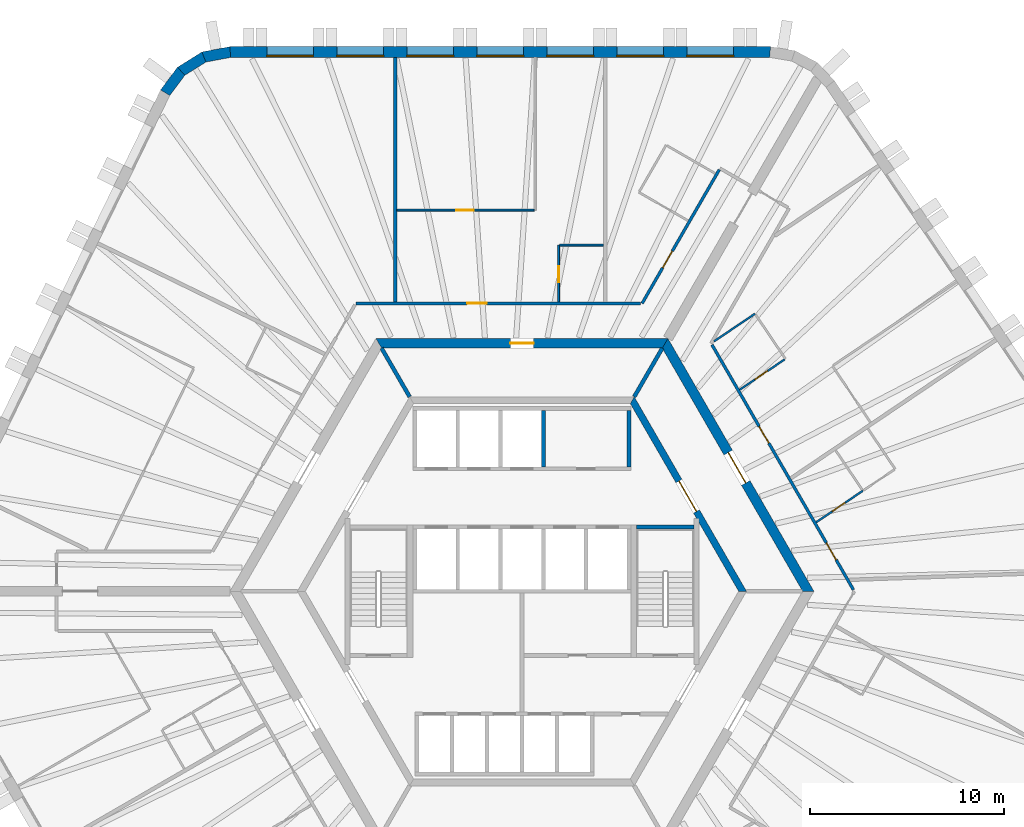
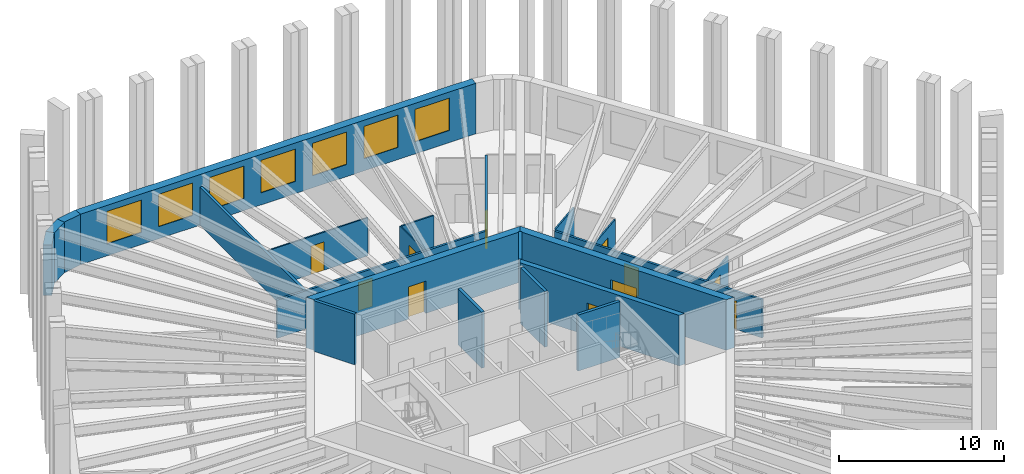
# One storey, part 8 of 10: 22 walls, 11 doors, 7 windows, 18 openings.
"""IFC4 building model written with IfcOpenShell, lengths in metres."""

from ifc_helpers import new_model, si_unit, direction, frame, frame_2d, origin, place, context, subcontext, project, spatial, polyline, rectangle, outline, extrude, material, layer, layer_set, type_object, element, fill, save


model = new_model("IFC4")

# Units and contexts
model_context = context("Model", 3, precision=1e-05, world=origin(), true_north=direction((0.0, 1.0)))
body_context = subcontext(model_context, "Body", "Model", "MODEL_VIEW")
ifc_project = project(units=[si_unit("LENGTHUNIT", "METRE"), si_unit("AREAUNIT", "SQUARE_METRE"), si_unit("VOLUMEUNIT", "CUBIC_METRE"), si_unit("PLANEANGLEUNIT", "RADIAN"), si_unit("MASSUNIT", "GRAM", prefix="KILO")], contexts=[model_context])

# Site, building, storey
site_placement = place(None, origin())
site = spatial("IfcSite", under=ifc_project, at=site_placement, CompositionType="ELEMENT")
building_placement = place(site_placement, origin())
building = spatial("IfcBuilding", under=site, at=building_placement, Name="Tarnside Tower", CompositionType="ELEMENT")
storey_placement = place(building_placement, frame((0.0, 0.0, 152.699951171875)))
storey = spatial("IfcBuildingStorey", under=building, at=storey_placement, Name="L35", CompositionType="ELEMENT", Elevation=152.699951171875)

# Wall, opening, door
ifc_material_1 = material(Name="Gypsum board partition on steel studs", Category="steel")
ifc_layer_1 = layer(ifc_material_1, 0.10009765625)
ifc_layer_set_1 = layer_set([ifc_layer_1], Name="Bathroom wall 100")
wall_type_1 = type_object("IfcWallType", Name="Bathroom wall 100", PredefinedType="PARTITIONING", material=ifc_layer_set_1)
wall_1_placement = place(storey_placement, frame((1.882080078125, 14.875, 0.0), z_axis=(0.0, 0.0, 1.0), x_axis=(0.0, 1.0, 0.0)))
wall_1 = element("IfcWall", 1, at=wall_1_placement, inside=storey, type_object=wall_type_1, Name="Bathroom wall 11053", PredefinedType="PARTITIONING", context=body_context, shape_type="SweptSolid", body=[
    extrude(rectangle(XDim=2.925048828125, YDim=0.10009765625, at=frame_2d((1.46240234375, 0.0))), origin(), (0.0, 0.0, 1.0), 2.823486328125),
])
opening_1_placement = place(wall_1_placement, frame((1.02490234375, 0.0, 0.0)))
opening_1 = element("IfcOpeningElement", 2, at=opening_1_placement, cuts=wall_1, Name="Opening D-B1", PredefinedType="OPENING", context=body_context, shape_type="SweptSolid", body=[
    extrude(rectangle(XDim=0.800048828125, YDim=2.10009765625, at=frame_2d((0.39990234375, 1.050048828125))), frame((0.0, 0.06005859375, 0.0), z_axis=(0.0, -1.0, 0.0), x_axis=(1.0, 0.0, 0.0)), (0.0, 0.0, 1.0), 0.1201171875),
])
ifc_material_2 = material(Name="Timber door leaf", Category="wood")
door_type_1 = type_object("IfcDoorType", Name="Bathroom door 800", OperationType="NOTDEFINED", PredefinedType="DOOR", material=ifc_material_2)
door_1_placement = place(opening_1_placement, origin())
door_1 = element("IfcDoor", 3, at=door_1_placement, inside=storey, type_object=door_type_1, Name="Bathroom door 11004", OperationType="SINGLE_SWING_RIGHT", OverallHeight=2.10009765625, OverallWidth=0.800048828125, PredefinedType="DOOR", context=body_context, shape_type="SweptSolid", body=[
    extrude(rectangle(XDim=0.800048828125, YDim=2.10009765625, at=frame_2d((0.39990234375, 1.050048828125))), frame((0.0, 0.02490234375, 0.0), z_axis=(0.0, -1.0, 0.0), x_axis=(1.0, 0.0, 0.0)), (0.0, 0.0, 1.0), 0.050048828125),
])
fill(opening_1, door_1)

# Wall
wall_2_placement = place(storey_placement, frame((1.93212890625, 17.800048828125, 0.0), z_axis=(0.0, 0.0, 1.0), x_axis=(1.0, 0.0, 0.0)))
element("IfcWall", 4, at=wall_2_placement, inside=storey, type_object=wall_type_1, Name="Bathroom wall 11054", PredefinedType="PARTITIONING", context=body_context, shape_type="SweptSolid", body=[
    extrude(rectangle(XDim=2.260009765625, YDim=0.10009765625, at=frame_2d((1.1298828125, 0.0))), origin(), (0.0, 0.0, 1.0), 2.823486328125),
])

# Wall, opening, door
wall_3_placement = place(storey_placement, frame((17.5302734375, 5.16845703125, 0.0), z_axis=(0.0, 0.0, 1.0), x_axis=(-0.829031257997, -0.559202265073, 0.0)))
wall_3 = element("IfcWall", 5, at=wall_3_placement, inside=storey, type_object=wall_type_1, Name="Bathroom wall 11106", PredefinedType="PARTITIONING", context=body_context, shape_type="SweptSolid", body=[
    extrude(rectangle(XDim=2.89794921875, YDim=0.10009765625, at=frame_2d((1.448974609375, 0.0))), origin(), (0.0, 0.0, 1.0), 2.823486328125),
])
opening_2_placement = place(wall_3_placement, frame((1.10009765625, 0.0, 0.0)))
opening_2 = element("IfcOpeningElement", 6, at=opening_2_placement, cuts=wall_3, Name="Opening D-B1", PredefinedType="OPENING", context=body_context, shape_type="SweptSolid", body=[
    extrude(rectangle(XDim=0.800048828125, YDim=2.10009765625, at=frame_2d((0.39990234375, 1.050048828125))), frame((0.0, 0.06005859375, 0.0), z_axis=(0.0, -1.0, 0.0), x_axis=(1.0, 0.0, 0.0)), (0.0, 0.0, 1.0), 0.1201171875),
])
door_2_placement = place(opening_2_placement, origin())
door_2 = element("IfcDoor", 7, at=door_2_placement, inside=storey, type_object=door_type_1, Name="Bathroom door 11032", OperationType="SINGLE_SWING_LEFT", OverallHeight=2.10009765625, OverallWidth=0.800048828125, PredefinedType="DOOR", context=body_context, shape_type="SweptSolid", body=[
    extrude(rectangle(XDim=0.800048828125, YDim=2.10009765625, at=frame_2d((0.39990234375, 1.050048828125))), frame((0.0, 0.02490234375, 0.0), z_axis=(0.0, -1.0, 0.0), x_axis=(1.0, 0.0, 0.0)), (0.0, 0.0, 1.0), 0.050048828125),
])
fill(opening_2, door_2)

# Wall
wall_4_placement = place(storey_placement, frame((9.8701171875, 12.845703125, 0.0), z_axis=(0.0, 0.0, 1.0), x_axis=(0.829045266323, 0.559181496821, 0.0)))
element("IfcWall", 8, at=wall_4_placement, inside=storey, type_object=wall_type_1, Name="Bathroom wall 11114", PredefinedType="PARTITIONING", context=body_context, shape_type="SweptSolid", body=[
    extrude(rectangle(XDim=2.547607421875, YDim=0.10009765625, at=frame_2d((1.27392578125, 0.0))), origin(), (0.0, 0.0, 1.0), 2.823486328125),
])

# Wall, opening, door
wall_5_placement = place(storey_placement, frame((13.50634765625, 11.9208984375, 0.0), z_axis=(0.0, 0.0, 1.0), x_axis=(-0.829048535811, -0.559176649431, 0.0)))
wall_5 = element("IfcWall", 9, at=wall_5_placement, inside=storey, type_object=wall_type_1, Name="Bathroom wall 11116", PredefinedType="PARTITIONING", context=body_context, shape_type="SweptSolid", body=[
    extrude(rectangle(XDim=2.7890625, YDim=0.10009765625, at=frame_2d((1.39453125, 0.0))), origin(), (0.0, 0.0, 1.0), 2.823486328125),
])
opening_3_placement = place(wall_5_placement, frame((1.050048828125, 0.0, 0.0)))
opening_3 = element("IfcOpeningElement", 10, at=opening_3_placement, cuts=wall_5, Name="Opening D-B1", PredefinedType="OPENING", context=body_context, shape_type="SweptSolid", body=[
    extrude(rectangle(XDim=0.800048828125, YDim=2.10009765625, at=frame_2d((0.39990234375, 1.050048828125))), frame((0.0, 0.06005859375, 0.0), z_axis=(0.0, -1.0, 0.0), x_axis=(1.0, 0.0, 0.0)), (0.0, 0.0, 1.0), 0.1201171875),
])
door_3_placement = place(opening_3_placement, origin())
door_3 = element("IfcDoor", 11, at=door_3_placement, inside=storey, type_object=door_type_1, Name="Bathroom door 11035", OperationType="SINGLE_SWING_LEFT", OverallHeight=2.10009765625, OverallWidth=0.800048828125, PredefinedType="DOOR", context=body_context, shape_type="SweptSolid", body=[
    extrude(rectangle(XDim=0.800048828125, YDim=2.10009765625, at=frame_2d((0.39990234375, 1.050048828125))), frame((0.0, 0.02490234375, 0.0), z_axis=(0.0, -1.0, 0.0), x_axis=(1.0, 0.0, 0.0)), (0.0, 0.0, 1.0), 0.050048828125),
])
fill(opening_3, door_3)

ifc_material_3 = material(Name="Concrete C50/60", Category="concrete")
ifc_layer_2 = layer(ifc_material_3, 0.35009765625)
ifc_layer_set_2 = layer_set([ifc_layer_2], Name="Core block wall 350 C50/60")
wall_type_2 = type_object("IfcWallType", Name="Core block wall 350 C50/60", PredefinedType="SHEAR", material=ifc_layer_set_2)
wall_6_placement = place(storey_placement, frame((11.344970703125, 0.0, 0.0), z_axis=(0.0, 0.0, 1.0), x_axis=(-0.499995046907, 0.866028263435, 0.0)))
wall_6 = element("IfcWall", 12, at=wall_6_placement, inside=storey, type_object=wall_type_2, Name="L35 core block wall face 6", PredefinedType="SHEAR", context=body_context, shape_type="SweptSolid", body=[
    extrude(outline(polyline([(-0.10107421875, -0.175048828125), (11.44580078125, -0.175048828125), (11.24365234375, 0.175048828125), (0.10107421875, 0.175048828125), (-0.10107421875, -0.175048828125)])), origin(), (0.0, 0.0, 1.0), 3.75),
])
opening_4_placement = place(wall_6_placement, frame((4.74365234375, 0.0, 0.0)))
opening_4 = element("IfcOpeningElement", 13, at=opening_4_placement, cuts=wall_6, Name="Opening CD-LOB", PredefinedType="OPENING", context=body_context, shape_type="SweptSolid", body=[
    extrude(rectangle(XDim=1.800048828125, YDim=2.39990234375, at=frame_2d((0.89990234375, 1.199951171875))), frame((0.0, 0.18505859375, 0.0), z_axis=(0.0, -1.0, 0.0), x_axis=(1.0, 0.0, 0.0)), (0.0, 0.0, 1.0), 0.3701171875),
])
ifc_material_4 = material(Name="Steel fire door", Category="steel")
door_type_2 = type_object("IfcDoorType", Name="Lobby double door FD30S 1800x2400", OperationType="NOTDEFINED", PredefinedType="DOOR", material=ifc_material_4)
door_4_placement = place(opening_4_placement, origin())
door_4 = element("IfcDoor", 14, at=door_4_placement, inside=storey, type_object=door_type_2, Name="L35 lobby block door P2", OperationType="DOUBLE_DOOR_SINGLE_SWING", OverallHeight=2.39990234375, OverallWidth=1.800048828125, PredefinedType="DOOR", context=body_context, shape_type="SweptSolid", body=[
    extrude(rectangle(XDim=1.800048828125, YDim=2.39990234375, at=frame_2d((0.89990234375, 1.199951171875))), frame((0.0, 0.02490234375, 0.0), z_axis=(0.0, -1.0, 0.0), x_axis=(1.0, 0.0, 0.0)), (0.0, 0.0, 1.0), 0.050048828125),
])
fill(opening_4, door_4)

ifc_material_5 = material(Name="Concrete C70/85", Category="concrete")
ifc_layer_3 = layer(ifc_material_5, 0.5)
ifc_layer_set_3 = layer_set([ifc_layer_3], Name="Core wall Z2 500 C70/85")
wall_type_3 = type_object("IfcWallType", Name="Core wall Z2 500 C70/85", PredefinedType="SHEAR", material=ifc_layer_set_3)
wall_7_placement = place(storey_placement, frame((14.722412109375, 0.0, 0.0), z_axis=(0.0, 0.0, 1.0), x_axis=(-0.50000571537, 0.866022103989, 0.0)))
wall_7 = element("IfcWall", 15, at=wall_7_placement, inside=storey, type_object=wall_type_3, Name="L35 core wall face 6", PredefinedType="SHEAR", context=body_context, shape_type="SweptSolid", body=[
    extrude(outline(polyline([(-0.144287109375, -0.25), (14.86669921875, -0.25), (14.578125, 0.25), (0.144287109375, 0.25), (-0.144287109375, -0.25)])), origin(), (0.0, 0.0, 1.0), 3.75),
])
opening_5_placement = place(wall_7_placement, frame((6.432373046875, 0.0, 0.0)))
opening_5 = element("IfcOpeningElement", 16, at=opening_5_placement, cuts=wall_7, Name="Opening CD-LOB", PredefinedType="OPENING", context=body_context, shape_type="SweptSolid", body=[
    extrude(rectangle(XDim=1.800048828125, YDim=2.39990234375, at=frame_2d((0.89990234375, 1.199951171875))), frame((0.0, 0.260009765625, 0.0), z_axis=(0.0, -1.0, 0.0), x_axis=(1.0, 0.0, 0.0)), (0.0, 0.0, 1.0), 0.52001953125),
])
door_5_placement = place(opening_5_placement, origin())
door_5 = element("IfcDoor", 17, at=door_5_placement, inside=storey, type_object=door_type_2, Name="L35 core door P2", OperationType="DOUBLE_DOOR_SINGLE_SWING", OverallHeight=2.39990234375, OverallWidth=1.800048828125, PredefinedType="DOOR", context=body_context, shape_type="SweptSolid", body=[
    extrude(rectangle(XDim=1.800048828125, YDim=2.39990234375, at=frame_2d((0.89990234375, 1.199951171875))), frame((0.0, 0.02490234375, 0.0), z_axis=(0.0, -1.0, 0.0), x_axis=(1.0, 0.0, 0.0)), (0.0, 0.0, 1.0), 0.050048828125),
])
fill(opening_5, door_5)

wall_8_placement = place(storey_placement, frame((7.361083984375, 12.75, 0.0), z_axis=(0.0, 0.0, 1.0), x_axis=(-1.0, 0.0, 0.0)))
wall_8 = element("IfcWall", 18, at=wall_8_placement, inside=storey, type_object=wall_type_3, Name="L35 core wall face 1", PredefinedType="SHEAR", context=body_context, shape_type="SweptSolid", body=[
    extrude(outline(polyline([(-0.144287109375, -0.25), (14.866455078125, -0.25), (14.577880859375, 0.25), (0.144287109375, 0.25), (-0.144287109375, -0.25)])), origin(), (0.0, 0.0, 1.0), 3.75),
])
opening_6_placement = place(wall_8_placement, frame((6.76123046875, 0.0, 0.0)))
opening_6 = element("IfcOpeningElement", 19, at=opening_6_placement, cuts=wall_8, Name="Opening CD-RSR", PredefinedType="OPENING", context=body_context, shape_type="SweptSolid", body=[
    extrude(rectangle(XDim=1.199951171875, YDim=2.39990234375, at=frame_2d((0.60009765625, 1.199951171875))), frame((0.0, 0.260009765625, 0.0), z_axis=(0.0, -1.0, 0.0), x_axis=(1.0, 0.0, 0.0)), (0.0, 0.0, 1.0), 0.52001953125),
])
door_type_3 = type_object("IfcDoorType", Name="Riser door FD60 1200x2400", OperationType="NOTDEFINED", PredefinedType="DOOR", material=ifc_material_4)
door_6_placement = place(opening_6_placement, origin())
door_6 = element("IfcDoor", 20, at=door_6_placement, inside=storey, type_object=door_type_3, Name="L35 core door S5", OperationType="SINGLE_SWING_LEFT", OverallHeight=2.39990234375, OverallWidth=1.199951171875, PredefinedType="DOOR", context=body_context, shape_type="SweptSolid", body=[
    extrude(rectangle(XDim=1.199951171875, YDim=2.39990234375, at=frame_2d((0.60009765625, 1.199951171875))), frame((0.0, 0.02490234375, 0.0), z_axis=(0.0, -1.0, 0.0), x_axis=(1.0, 0.0, 0.0)), (0.0, 0.0, 1.0), 0.050048828125),
])
fill(opening_6, door_6)

ifc_layer_4 = layer(ifc_material_1, 0.14990234375)
ifc_layer_set_4 = layer_set([ifc_layer_4], Name="Corridor wall 150 EI 60")
wall_type_4 = type_object("IfcWallType", Name="Corridor wall 150 EI 60", PredefinedType="PARTITIONING", material=ifc_layer_set_4)
wall_9_placement = place(storey_placement, frame((10.148681640625, 21.677978515625, 0.0), z_axis=(0.0, 0.0, 1.0), x_axis=(-0.499997422768, -0.866026891745, 0.0)))
wall_9 = element("IfcWall", 21, at=wall_9_placement, inside=storey, type_object=wall_type_4, Name="Corridor wall 11001", PredefinedType="PARTITIONING", context=body_context, shape_type="SweptSolid", body=[
    extrude(rectangle(XDim=7.94189453125, YDim=0.14990234375, at=frame_2d((3.970947265625, 0.0))), origin(), (0.0, 0.0, 1.0), 2.823486328125),
])
opening_7_placement = place(wall_9_placement, frame((4.83349609375, 0.0, 0.0)))
opening_7 = element("IfcOpeningElement", 22, at=opening_7_placement, cuts=wall_9, Name="Opening D-E1", PredefinedType="OPENING", context=body_context, shape_type="SweptSolid", body=[
    extrude(rectangle(XDim=1.0, YDim=2.10009765625, at=frame_2d((0.5, 1.050048828125))), frame((0.0, 0.0849609375, 0.0), z_axis=(0.0, -1.0, 0.0), x_axis=(1.0, 0.0, 0.0)), (0.0, 0.0, 1.0), 0.169921875),
])
door_type_4 = type_object("IfcDoorType", Name="Unit entrance door 1000 FD30S", OperationType="NOTDEFINED", PredefinedType="DOOR", material=ifc_material_2)
door_7_placement = place(opening_7_placement, origin())
door_7 = element("IfcDoor", 23, at=door_7_placement, inside=storey, type_object=door_type_4, Name="Unit door 11001", OperationType="SINGLE_SWING_LEFT", OverallHeight=2.10009765625, OverallWidth=1.0, PredefinedType="DOOR", context=body_context, shape_type="SweptSolid", body=[
    extrude(rectangle(XDim=1.0, YDim=2.10009765625, at=frame_2d((0.5, 1.050048828125))), frame((0.0, 0.02490234375, 0.0), z_axis=(0.0, -1.0, 0.0), x_axis=(1.0, 0.0, 0.0)), (0.0, 0.0, 1.0), 0.050048828125),
])
fill(opening_7, door_7)

wall_10_placement = place(storey_placement, frame((6.091064453125, 14.800048828125, 0.0), z_axis=(0.0, 0.0, 1.0), x_axis=(-1.0, 0.0, 0.0)))
wall_10 = element("IfcWall", 24, at=wall_10_placement, inside=storey, type_object=wall_type_4, Name="Corridor wall 11002", PredefinedType="PARTITIONING", context=body_context, shape_type="SweptSolid", body=[
    extrude(rectangle(XDim=14.6357421875, YDim=0.14990234375, at=frame_2d((7.31787109375, 0.0))), origin(), (0.0, 0.0, 1.0), 2.823486328125),
])
opening_8_placement = place(wall_10_placement, frame((7.908935546875, 0.0, 0.0)))
opening_8 = element("IfcOpeningElement", 25, at=opening_8_placement, cuts=wall_10, Name="Opening D-E1", PredefinedType="OPENING", context=body_context, shape_type="SweptSolid", body=[
    extrude(rectangle(XDim=1.0, YDim=2.10009765625, at=frame_2d((0.5, 1.050048828125))), frame((0.0, 0.0849609375, 0.0), z_axis=(0.0, -1.0, 0.0), x_axis=(1.0, 0.0, 0.0)), (0.0, 0.0, 1.0), 0.169921875),
])
door_8_placement = place(opening_8_placement, origin())
door_8 = element("IfcDoor", 26, at=door_8_placement, inside=storey, type_object=door_type_4, Name="Unit door 11003", OperationType="SINGLE_SWING_RIGHT", OverallHeight=2.10009765625, OverallWidth=1.0, PredefinedType="DOOR", context=body_context, shape_type="SweptSolid", body=[
    extrude(rectangle(XDim=1.0, YDim=2.10009765625, at=frame_2d((0.5, 1.050048828125))), frame((0.0, 0.02490234375, 0.0), z_axis=(0.0, -1.0, 0.0), x_axis=(1.0, 0.0, 0.0)), (0.0, 0.0, 1.0), 0.050048828125),
])
fill(opening_8, door_8)

# Wall, openings, doors
wall_11_placement = place(storey_placement, frame((17.04638671875, 0.074951171875, 0.0), z_axis=(0.0, 0.0, 1.0), x_axis=(-0.499999403554, 0.866025748143, 0.0)))
wall_11 = element("IfcWall", 27, at=wall_11_placement, inside=storey, type_object=wall_type_4, Name="Corridor wall 11040", PredefinedType="PARTITIONING", context=body_context, shape_type="SweptSolid", body=[
    extrude(rectangle(XDim=14.54931640625, YDim=0.14990234375, at=frame_2d((7.274658203125, 0.0))), origin(), (0.0, 0.0, 1.0), 2.823486328125),
])
opening_9_placement = place(wall_11_placement, frame((1.781494140625, 0.0, 0.0)))
opening_9 = element("IfcOpeningElement", 28, at=opening_9_placement, cuts=wall_11, Name="Opening D-E1", PredefinedType="OPENING", context=body_context, shape_type="SweptSolid", body=[
    extrude(rectangle(XDim=1.0, YDim=2.10009765625, at=frame_2d((0.5, 1.050048828125))), frame((0.0, 0.0849609375, 0.0), z_axis=(0.0, -1.0, 0.0), x_axis=(1.0, 0.0, 0.0)), (0.0, 0.0, 1.0), 0.169921875),
])
opening_10_placement = place(wall_11_placement, frame((8.705322265625, 0.0, 0.0)))
opening_10 = element("IfcOpeningElement", 29, at=opening_10_placement, cuts=wall_11, Name="Opening D-E1", PredefinedType="OPENING", context=body_context, shape_type="SweptSolid", body=[
    extrude(rectangle(XDim=1.0, YDim=2.10009765625, at=frame_2d((0.5, 1.050048828125))), frame((0.0, 0.0849609375, 0.0), z_axis=(0.0, -1.0, 0.0), x_axis=(1.0, 0.0, 0.0)), (0.0, 0.0, 1.0), 0.169921875),
])
door_9_placement = place(opening_9_placement, origin())
door_9 = element("IfcDoor", 30, at=door_9_placement, inside=storey, type_object=door_type_4, Name="Unit door 11031", OperationType="SINGLE_SWING_LEFT", OverallHeight=2.10009765625, OverallWidth=1.0, PredefinedType="DOOR", context=body_context, shape_type="SweptSolid", body=[
    extrude(rectangle(XDim=1.0, YDim=2.10009765625, at=frame_2d((0.5, 1.050048828125))), frame((0.0, 0.02490234375, 0.0), z_axis=(0.0, -1.0, 0.0), x_axis=(1.0, 0.0, 0.0)), (0.0, 0.0, 1.0), 0.050048828125),
])
fill(opening_9, door_9)
door_10_placement = place(opening_10_placement, origin())
door_10 = element("IfcDoor", 31, at=door_10_placement, inside=storey, type_object=door_type_4, Name="Unit door 11034", OperationType="SINGLE_SWING_RIGHT", OverallHeight=2.10009765625, OverallWidth=1.0, PredefinedType="DOOR", context=body_context, shape_type="SweptSolid", body=[
    extrude(rectangle(XDim=1.0, YDim=2.10009765625, at=frame_2d((0.5, 1.050048828125))), frame((0.0, 0.02490234375, 0.0), z_axis=(0.0, -1.0, 0.0), x_axis=(1.0, 0.0, 0.0)), (0.0, 0.0, 1.0), 0.050048828125),
])
fill(opening_10, door_10)

# Walls
ifc_layer_5 = layer(ifc_material_1, 0.179931640625)
ifc_layer_set_5 = layer_set([ifc_layer_5], Name="Demising wall 180 EI 60")
wall_type_5 = type_object("IfcWallType", Name="Demising wall 180 EI 60", PredefinedType="PARTITIONING", material=ifc_layer_set_5)
wall_12_placement = place(storey_placement, frame((-6.517822265625, 27.449951171875, 0.0), z_axis=(0.0, 0.0, 1.0), x_axis=(0.0, -1.0, 0.0)))
element("IfcWall", 32, at=wall_12_placement, inside=storey, type_object=wall_type_5, Name="Demising wall 11057", PredefinedType="PARTITIONING", context=body_context, shape_type="SweptSolid", body=[
    extrude(rectangle(XDim=12.574951171875, YDim=0.179931640625, at=frame_2d((6.28759765625, 0.0))), origin(), (0.0, 0.0, 1.0), 2.823486328125),
])
ifc_material_6 = material(Name="Concrete C40/50", Category="concrete")
ifc_layer_6 = layer(ifc_material_6, 0.199951171875)
ifc_layer_set_6 = layer_set([ifc_layer_6], Name="Lift shaft wall 200 C40/50")
wall_type_6 = type_object("IfcWallType", Name="Lift shaft wall 200 C40/50", PredefinedType="SHEAR", material=ifc_layer_set_6)
for number, where, z_axis, x_axis, name in (
    (33, (1.10009765625, 6.39990234375, -0.5), (0.0, 0.0, 1.0), (0.0, 1.0, 0.0), "L35 lift shaft partition R14"),
    (34, (5.5, 6.39990234375, -0.5), (0.0, 0.0, 1.0), (0.0, 1.0, 0.0), "L35 lift shaft partition R16"),
):
    element("IfcWall", number, at=place(storey_placement, frame(where, z_axis=z_axis, x_axis=x_axis)), inside=storey, type_object=wall_type_6, Name=name, PredefinedType="SHEAR", context=body_context, shape_type="SweptSolid", body=[
        extrude(rectangle(XDim=2.900146484375, YDim=0.199951171875, at=frame_2d((1.4501953125, 0.0))), origin(), (0.0, 0.0, 1.0), 4.150146484375),
    ])
for number, where, z_axis, x_axis, name in (
    (35, (5.7734375, 10.0, 0.0), (0.0, 0.0, 1.0), (0.499995765644, 0.866027848477, 0.0), "L35 core partition AR60"),
    (36, (-5.7734375, 10.0, 0.0), (0.0, 0.0, 1.0), (-0.499995765644, 0.866027848477, 0.0), "L35 core partition AR120"),
):
    element("IfcWall", number, at=place(storey_placement, frame(where, z_axis=z_axis, x_axis=x_axis)), inside=storey, type_object=wall_type_6, Name=name, PredefinedType="SHEAR", context=body_context, shape_type="SweptSolid", body=[
        extrude(rectangle(XDim=2.88671875, YDim=0.199951171875, at=frame_2d((1.443359375, 0.0))), origin(), (0.0, 0.0, 1.0), 3.75),
    ])
wall_13_placement = place(storey_placement, frame((5.89990234375, 3.300048828125, -0.5), z_axis=(0.0, 0.0, 1.0), x_axis=(1.0, 0.0, 0.0)))
element("IfcWall", 37, at=wall_13_placement, inside=storey, type_object=wall_type_6, Name="L35 stair 1 enclosure cap wall n", PredefinedType="SHEAR", context=body_context, shape_type="SweptSolid", body=[
    extrude(rectangle(XDim=2.9501953125, YDim=0.199951171875, at=frame_2d((1.47509765625, 0.0))), origin(), (0.0, 0.0, 1.0), 4.150146484375),
])

# Wall, opening, door
ifc_layer_7 = layer(ifc_material_1, 0.10009765625)
ifc_layer_set_7 = layer_set([ifc_layer_7], Name="Partition 100")
wall_type_7 = type_object("IfcWallType", Name="Partition 100", PredefinedType="PARTITIONING", material=ifc_layer_set_7)
wall_14_placement = place(storey_placement, frame((0.632080078125, 19.60009765625, 0.0), z_axis=(0.0, 0.0, 1.0), x_axis=(-1.0, 0.0, 0.0)))
wall_14 = element("IfcWall", 38, at=wall_14_placement, inside=storey, type_object=wall_type_7, Name="Partition wall 11056", PredefinedType="PARTITIONING", context=body_context, shape_type="SweptSolid", body=[
    extrude(rectangle(XDim=7.06005859375, YDim=0.10009765625, at=frame_2d((3.530029296875, 0.0))), origin(), (0.0, 0.0, 1.0), 2.823486328125),
])
opening_11_placement = place(wall_14_placement, frame((3.10009765625, 0.0, 0.0)))
opening_11 = element("IfcOpeningElement", 39, at=opening_11_placement, cuts=wall_14, Name="Opening D-I1", PredefinedType="OPENING", context=body_context, shape_type="SweptSolid", body=[
    extrude(rectangle(XDim=0.89990234375, YDim=2.10009765625, at=frame_2d((0.449951171875, 1.050048828125))), frame((0.0, 0.06005859375, 0.0), z_axis=(0.0, -1.0, 0.0), x_axis=(1.0, 0.0, 0.0)), (0.0, 0.0, 1.0), 0.1201171875),
])
door_type_5 = type_object("IfcDoorType", Name="Internal door 900", OperationType="NOTDEFINED", PredefinedType="DOOR", material=ifc_material_2)
door_11_placement = place(opening_11_placement, origin())
door_11 = element("IfcDoor", 40, at=door_11_placement, inside=storey, type_object=door_type_5, Name="Internal door 11005", OperationType="SINGLE_SWING_RIGHT", OverallHeight=2.10009765625, OverallWidth=0.89990234375, PredefinedType="DOOR", context=body_context, shape_type="SweptSolid", body=[
    extrude(rectangle(XDim=0.89990234375, YDim=2.10009765625, at=frame_2d((0.449951171875, 1.050048828125))), frame((0.0, 0.02490234375, 0.0), z_axis=(0.0, -1.0, 0.0), x_axis=(1.0, 0.0, 0.0)), (0.0, 0.0, 1.0), 0.050048828125),
])
fill(opening_11, door_11)

# Wall, openings, windows
ifc_material_7 = material(Name="Facing brick", Category="masonry")
ifc_layer_8 = layer(ifc_material_7, 0.10205078125)
ifc_material_8 = material(Name="Concrete C60/75 precast", Category="concrete")
ifc_layer_9 = layer(ifc_material_8, 0.347900390625)
ifc_material_9 = material(Name="Mineral wool insulation")
ifc_layer_10 = layer(ifc_material_9, 0.10009765625)
ifc_layer_set_8 = layer_set([ifc_layer_8, ifc_layer_9, ifc_layer_10], Name="Tube wall 550 brick faced")
wall_type_8 = type_object("IfcWallType", Name="Tube wall 550 brick faced", PredefinedType="SOLIDWALL", material=ifc_layer_set_8)
wall_15_placement = place(storey_placement, frame((12.760986328125, 27.72509765625, 0.0), z_axis=(0.0, 0.0, 1.0), x_axis=(-1.0, 0.0, 0.0)))
wall_15 = element("IfcWall", 41, at=wall_15_placement, inside=storey, type_object=wall_type_8, Name="Tube wall L35 F1 flush 00", PredefinedType="SOLIDWALL", context=body_context, shape_type="SweptSolid", body=[
    extrude(outline(polyline([(-0.0224609375, -0.27490234375), (27.783447265625, -0.27490234375), (27.732177734375, 0.27490234375), (0.0224609375, 0.27490234375), (-0.0224609375, -0.27490234375)])), origin(), (0.0, 0.0, 1.0), 3.75),
])
opening_12_placement = place(wall_15_placement, frame((1.87890625, 0.0, 0.89990234375)))
opening_12 = element("IfcOpeningElement", 42, at=opening_12_placement, cuts=wall_15, Name="Opening WH", PredefinedType="OPENING", context=body_context, shape_type="SweptSolid", body=[
    extrude(rectangle(XDim=2.39990234375, YDim=2.39990234375, at=frame_2d((1.199951171875, 1.199951171875))), frame((0.0, 0.28515625, 0.0), z_axis=(0.0, -1.0, 0.0), x_axis=(1.0, 0.0, 0.0)), (0.0, 0.0, 1.0), 0.570068359375),
])
opening_13_placement = place(wall_15_placement, frame((5.47900390625, 0.0, 0.89990234375)))
opening_13 = element("IfcOpeningElement", 43, at=opening_13_placement, cuts=wall_15, Name="Opening WH", PredefinedType="OPENING", context=body_context, shape_type="SweptSolid", body=[
    extrude(rectangle(XDim=2.39990234375, YDim=2.39990234375, at=frame_2d((1.199951171875, 1.199951171875))), frame((0.0, 0.28515625, 0.0), z_axis=(0.0, -1.0, 0.0), x_axis=(1.0, 0.0, 0.0)), (0.0, 0.0, 1.0), 0.570068359375),
])
opening_14_placement = place(wall_15_placement, frame((9.078857421875, 0.0, 0.89990234375)))
opening_14 = element("IfcOpeningElement", 44, at=opening_14_placement, cuts=wall_15, Name="Opening WH", PredefinedType="OPENING", context=body_context, shape_type="SweptSolid", body=[
    extrude(rectangle(XDim=2.39990234375, YDim=2.39990234375, at=frame_2d((1.199951171875, 1.199951171875))), frame((0.0, 0.28515625, 0.0), z_axis=(0.0, -1.0, 0.0), x_axis=(1.0, 0.0, 0.0)), (0.0, 0.0, 1.0), 0.570068359375),
])
opening_15_placement = place(wall_15_placement, frame((12.678955078125, 0.0, 0.89990234375)))
opening_15 = element("IfcOpeningElement", 45, at=opening_15_placement, cuts=wall_15, Name="Opening WH", PredefinedType="OPENING", context=body_context, shape_type="SweptSolid", body=[
    extrude(rectangle(XDim=2.39990234375, YDim=2.39990234375, at=frame_2d((1.199951171875, 1.199951171875))), frame((0.0, 0.28515625, 0.0), z_axis=(0.0, -1.0, 0.0), x_axis=(1.0, 0.0, 0.0)), (0.0, 0.0, 1.0), 0.570068359375),
])
opening_16_placement = place(wall_15_placement, frame((16.27880859375, 0.0, 0.89990234375)))
opening_16 = element("IfcOpeningElement", 46, at=opening_16_placement, cuts=wall_15, Name="Opening WH", PredefinedType="OPENING", context=body_context, shape_type="SweptSolid", body=[
    extrude(rectangle(XDim=2.39990234375, YDim=2.39990234375, at=frame_2d((1.199951171875, 1.199951171875))), frame((0.0, 0.28515625, 0.0), z_axis=(0.0, -1.0, 0.0), x_axis=(1.0, 0.0, 0.0)), (0.0, 0.0, 1.0), 0.570068359375),
])
opening_17_placement = place(wall_15_placement, frame((19.87890625, 0.0, 0.89990234375)))
opening_17 = element("IfcOpeningElement", 47, at=opening_17_placement, cuts=wall_15, Name="Opening WH", PredefinedType="OPENING", context=body_context, shape_type="SweptSolid", body=[
    extrude(rectangle(XDim=2.39990234375, YDim=2.39990234375, at=frame_2d((1.199951171875, 1.199951171875))), frame((0.0, 0.28515625, 0.0), z_axis=(0.0, -1.0, 0.0), x_axis=(1.0, 0.0, 0.0)), (0.0, 0.0, 1.0), 0.570068359375),
])
opening_18_placement = place(wall_15_placement, frame((23.47900390625, 0.0, 0.89990234375)))
opening_18 = element("IfcOpeningElement", 48, at=opening_18_placement, cuts=wall_15, Name="Opening WH", PredefinedType="OPENING", context=body_context, shape_type="SweptSolid", body=[
    extrude(rectangle(XDim=2.39990234375, YDim=2.39990234375, at=frame_2d((1.199951171875, 1.199951171875))), frame((0.0, 0.28515625, 0.0), z_axis=(0.0, -1.0, 0.0), x_axis=(1.0, 0.0, 0.0)), (0.0, 0.0, 1.0), 0.570068359375),
])
ifc_material_10 = material(Name="Aluminium-framed double glazing", Category="aluminium")
window_type = type_object("IfcWindowType", Name="Hotel window 2400 x 2400", PartitioningType="DOUBLE_PANEL_VERTICAL", PredefinedType="WINDOW", material=ifc_material_10)
window_1_placement = place(opening_12_placement, frame((0.0, 0.205078125, 0.0)))
window_1 = element("IfcWindow", 49, at=window_1_placement, inside=storey, type_object=window_type, Name="E.WN.L35.F1.00", OverallHeight=2.39990234375, OverallWidth=2.39990234375, PartitioningType="DOUBLE_PANEL_VERTICAL", PredefinedType="WINDOW", context=body_context, shape_type="SweptSolid", body=[
    extrude(rectangle(XDim=2.39990234375, YDim=2.39990234375, at=frame_2d((1.199951171875, 1.199951171875))), frame((0.0, 0.030029296875, 0.0), z_axis=(0.0, -1.0, 0.0), x_axis=(1.0, 0.0, 0.0)), (0.0, 0.0, 1.0), 0.06005859375),
])
fill(opening_12, window_1)
window_2_placement = place(opening_13_placement, frame((0.0, 0.205078125, 0.0)))
window_2 = element("IfcWindow", 50, at=window_2_placement, inside=storey, type_object=window_type, Name="E.WN.L35.F1.01", OverallHeight=2.39990234375, OverallWidth=2.39990234375, PartitioningType="DOUBLE_PANEL_VERTICAL", PredefinedType="WINDOW", context=body_context, shape_type="SweptSolid", body=[
    extrude(rectangle(XDim=2.39990234375, YDim=2.39990234375, at=frame_2d((1.199951171875, 1.199951171875))), frame((0.0, 0.030029296875, 0.0), z_axis=(0.0, -1.0, 0.0), x_axis=(1.0, 0.0, 0.0)), (0.0, 0.0, 1.0), 0.06005859375),
])
fill(opening_13, window_2)
window_3_placement = place(opening_14_placement, frame((0.0, 0.205078125, 0.0)))
window_3 = element("IfcWindow", 51, at=window_3_placement, inside=storey, type_object=window_type, Name="E.WN.L35.F1.02", OverallHeight=2.39990234375, OverallWidth=2.39990234375, PartitioningType="DOUBLE_PANEL_VERTICAL", PredefinedType="WINDOW", context=body_context, shape_type="SweptSolid", body=[
    extrude(rectangle(XDim=2.39990234375, YDim=2.39990234375, at=frame_2d((1.199951171875, 1.199951171875))), frame((0.0, 0.030029296875, 0.0), z_axis=(0.0, -1.0, 0.0), x_axis=(1.0, 0.0, 0.0)), (0.0, 0.0, 1.0), 0.06005859375),
])
fill(opening_14, window_3)
window_4_placement = place(opening_15_placement, frame((0.0, 0.205078125, 0.0)))
window_4 = element("IfcWindow", 52, at=window_4_placement, inside=storey, type_object=window_type, Name="E.WN.L35.F1.03", OverallHeight=2.39990234375, OverallWidth=2.39990234375, PartitioningType="DOUBLE_PANEL_VERTICAL", PredefinedType="WINDOW", context=body_context, shape_type="SweptSolid", body=[
    extrude(rectangle(XDim=2.39990234375, YDim=2.39990234375, at=frame_2d((1.199951171875, 1.199951171875))), frame((0.0, 0.030029296875, 0.0), z_axis=(0.0, -1.0, 0.0), x_axis=(1.0, 0.0, 0.0)), (0.0, 0.0, 1.0), 0.06005859375),
])
fill(opening_15, window_4)
window_5_placement = place(opening_16_placement, frame((0.0, 0.205078125, 0.0)))
window_5 = element("IfcWindow", 53, at=window_5_placement, inside=storey, type_object=window_type, Name="E.WN.L35.F1.04", OverallHeight=2.39990234375, OverallWidth=2.39990234375, PartitioningType="DOUBLE_PANEL_VERTICAL", PredefinedType="WINDOW", context=body_context, shape_type="SweptSolid", body=[
    extrude(rectangle(XDim=2.39990234375, YDim=2.39990234375, at=frame_2d((1.199951171875, 1.199951171875))), frame((0.0, 0.030029296875, 0.0), z_axis=(0.0, -1.0, 0.0), x_axis=(1.0, 0.0, 0.0)), (0.0, 0.0, 1.0), 0.06005859375),
])
fill(opening_16, window_5)
window_6_placement = place(opening_17_placement, frame((0.0, 0.205078125, 0.0)))
window_6 = element("IfcWindow", 54, at=window_6_placement, inside=storey, type_object=window_type, Name="E.WN.L35.F1.05", OverallHeight=2.39990234375, OverallWidth=2.39990234375, PartitioningType="DOUBLE_PANEL_VERTICAL", PredefinedType="WINDOW", context=body_context, shape_type="SweptSolid", body=[
    extrude(rectangle(XDim=2.39990234375, YDim=2.39990234375, at=frame_2d((1.199951171875, 1.199951171875))), frame((0.0, 0.030029296875, 0.0), z_axis=(0.0, -1.0, 0.0), x_axis=(1.0, 0.0, 0.0)), (0.0, 0.0, 1.0), 0.06005859375),
])
fill(opening_17, window_6)
window_7_placement = place(opening_18_placement, frame((0.0, 0.205078125, 0.0)))
window_7 = element("IfcWindow", 55, at=window_7_placement, inside=storey, type_object=window_type, Name="E.WN.L35.F1.06", OverallHeight=2.39990234375, OverallWidth=2.39990234375, PartitioningType="DOUBLE_PANEL_VERTICAL", PredefinedType="WINDOW", context=body_context, shape_type="SweptSolid", body=[
    extrude(rectangle(XDim=2.39990234375, YDim=2.39990234375, at=frame_2d((1.199951171875, 1.199951171875))), frame((0.0, 0.030029296875, 0.0), z_axis=(0.0, -1.0, 0.0), x_axis=(1.0, 0.0, 0.0)), (0.0, 0.0, 1.0), 0.06005859375),
])
fill(opening_18, window_7)

# Walls
wall_16_placement = place(storey_placement, frame((-14.996826171875, 27.72509765625, 0.0), z_axis=(0.0, 0.0, 1.0), x_axis=(-0.982705443133, -0.185175624845, 0.0)))
element("IfcWall", 56, at=wall_16_placement, inside=storey, type_object=wall_type_8, Name="Tube wall L35 F1 chord 01", PredefinedType="SOLIDWALL", context=body_context, shape_type="SweptSolid", body=[
    extrude(outline(polyline([(-0.025634765625, -0.27490234375), (1.430908203125, -0.27490234375), (1.327392578125, 0.27490234375), (0.025634765625, 0.27490234375), (-0.025634765625, -0.27490234375)])), origin(), (0.0, 0.0, 1.0), 3.75),
])
wall_17_placement = place(storey_placement, frame((-16.35205078125, 27.4697265625, 0.0), z_axis=(0.0, 0.0, 1.0), x_axis=(-0.848057977594, -0.5299034503, 0.0)))
element("IfcWall", 57, at=wall_17_placement, inside=storey, type_object=wall_type_8, Name="Tube wall L35 F1 chord 02", PredefinedType="SOLIDWALL", context=body_context, shape_type="SweptSolid", body=[
    extrude(outline(polyline([(-0.0517578125, -0.27490234375), (1.4306640625, -0.27490234375), (1.3271484375, 0.27490234375), (0.0517578125, 0.27490234375), (-0.0517578125, -0.27490234375)])), origin(), (0.0, 0.0, 1.0), 3.75),
])
wall_18_placement = place(storey_placement, frame((-17.521484375, 26.739013671875, 0.0), z_axis=(0.0, 0.0, 1.0), x_axis=(-0.597135295884, -0.802140535324, 0.0)))
element("IfcWall", 58, at=wall_18_placement, inside=storey, type_object=wall_type_8, Name="Tube wall L35 F1 chord 03", PredefinedType="SOLIDWALL", context=body_context, shape_type="SweptSolid", body=[
    extrude(outline(polyline([(-0.0517578125, -0.27490234375), (1.40478515625, -0.27490234375), (1.353515625, 0.27490234375), (0.0517578125, 0.27490234375), (-0.0517578125, -0.27490234375)])), origin(), (0.0, 0.0, 1.0), 3.75),
])

save(model, "model.ifc")
